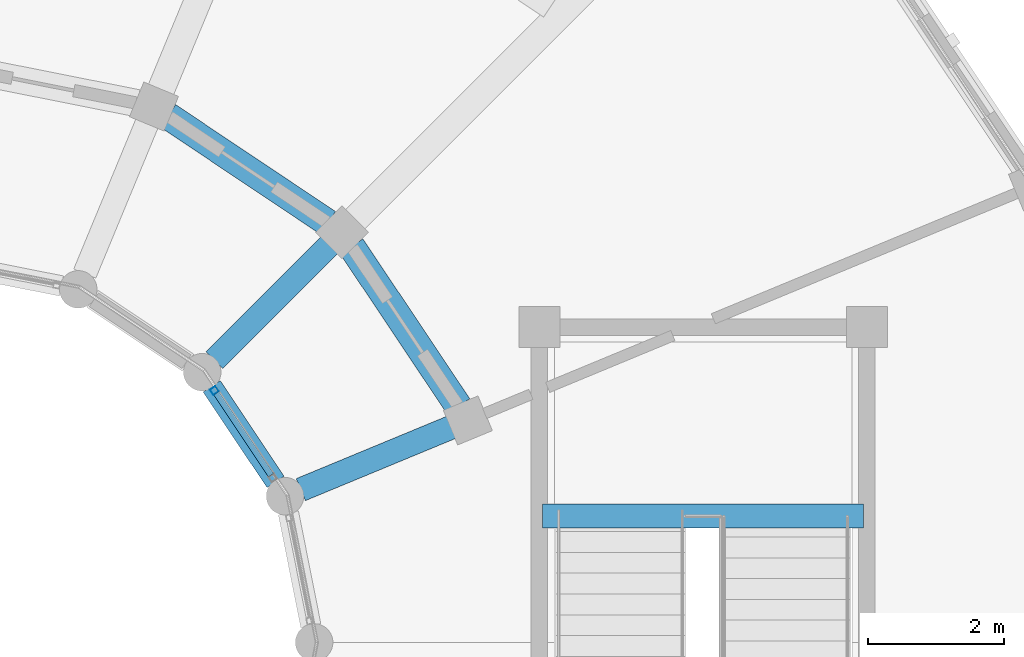
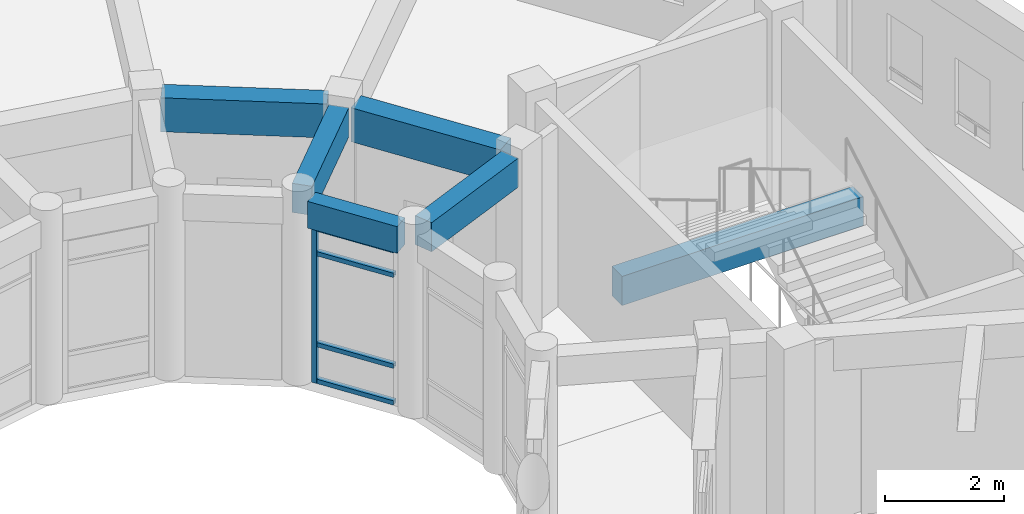
# One storey, part 34 of 112: 6 beams, 5 members, 1 element without a shape of its own.
"""IFC4 building model written with IfcOpenShell, lengths in metres."""

from ifc_helpers import new_model, si_unit, direction, frame, origin, origin_2d, place, context, subcontext, project, spatial, rectangle, hollow_rectangle, extrude, material, material_profile, profile_set, type_object, element, aggregate, save


model = new_model("IFC4")

# Units and contexts
model_context = context("Model", 3, precision=1e-05, world=origin(), true_north=direction((0.0, 1.0)))
body_context = subcontext(model_context, "Body", "Model", "MODEL_VIEW")
ifc_project = project(units=[si_unit("LENGTHUNIT", "METRE"), si_unit("AREAUNIT", "SQUARE_METRE"), si_unit("VOLUMEUNIT", "CUBIC_METRE"), si_unit("PLANEANGLEUNIT", "RADIAN"), si_unit("MASSUNIT", "GRAM", prefix="KILO")], contexts=[model_context])

# Site, building, storey
site_placement = place(None, origin())
site = spatial("IfcSite", under=ifc_project, at=site_placement, CompositionType="ELEMENT")
building_placement = place(site_placement, origin())
building = spatial("IfcBuilding", under=site, at=building_placement, Name="Celadon Cloister-Ring School", CompositionType="ELEMENT")
storey_placement = place(building_placement, frame((0.0, 0.0, 8.5)))
storey = spatial("IfcBuildingStorey", under=building, at=storey_placement, Name="L02", CompositionType="ELEMENT", Elevation=8.5)

# Beams
ifc_material_1 = material(Name="Concrete C35/45", Category="concrete")
ifc_material_profile_1 = material_profile(ifc_material_1, rectangle(XDim=0.35009765625, YDim=0.60009765625, at=origin_2d()), Name="RC350X600")
ifc_profile_set_1 = profile_set([ifc_material_profile_1], Name="Concrete C35/45")
beam_type_1 = type_object("IfcBeamType", Name="BT-02", PredefinedType="BEAM", material=ifc_profile_set_1)
beam_1_placement = place(storey_placement, frame((27.822021484375, 100.156982421875, 3.47998046875), z_axis=(-0.923932522988, -0.382555476978, 0.0), x_axis=(0.382555476978, -0.923932522988, 0.0)))
element("IfcBeam", 1, at=beam_1_placement, inside=storey, type_object=beam_type_1, Name="Beam 0734", PredefinedType="BEAM", context=body_context, shape_type="SweptSolid", body=[
    extrude(rectangle(XDim=0.35009765625, YDim=0.60009765625, at=origin_2d()), origin(), (0.0, 0.0, 1.0), 2.399658203125),
])
beam_2_placement = place(storey_placement, frame((26.032958984375, 102.8330078125, 3.47998046875), z_axis=(-0.707106781187, -0.707106781187, 0.0), x_axis=(0.707106781187, -0.707106781187, 0.0)))
element("IfcBeam", 2, at=beam_2_placement, inside=storey, type_object=beam_type_1, Name="Beam 0736", PredefinedType="BEAM", context=body_context, shape_type="SweptSolid", body=[
    extrude(rectangle(XDim=0.35009765625, YDim=0.60009765625, at=origin_2d()), origin(), (0.0, 0.0, 1.0), 2.398681640625),
])
beam_3_placement = place(storey_placement, frame((29.14990234375, 98.85009765625, 1.39990234375), z_axis=(1.0, 0.0, 0.0), x_axis=(0.0, 1.0, 0.0)))
element("IfcBeam", 3, at=beam_3_placement, inside=storey, type_object=beam_type_1, Name="Stair Landing Beam 1742", PredefinedType="BEAM", context=body_context, shape_type="SweptSolid", body=[
    extrude(rectangle(XDim=0.35009765625, YDim=0.60009765625, at=origin_2d()), origin(), (0.0, 0.0, 1.0), 4.7001953125),
])

# Curtain wall, members
ifc_material_2 = material(Name="Aluminium EN AW-6063 T6", Category="aluminium")
curtain_wall_type = type_object("IfcCurtainWallType", Name="CW-04", PredefinedType="USERDEFINED", material=ifc_material_2)
curtain_wall_placement = place(storey_placement, origin())
curtain_wall = element("IfcCurtainWall", 4, at=curtain_wall_placement, inside=storey, type_object=curtain_wall_type, Name="Curtain Wall 0104", ObjectType="CURTAIN WALL", PredefinedType="USERDEFINED")
ifc_material_3 = material(Name="Aluminium EN AW-6063 T6", Category="aluminium")
ifc_material_profile_2 = material_profile(ifc_material_3, hollow_rectangle(XDim=0.094970703125, YDim=0.094970703125, WallThickness=0.00390625, at=origin_2d()), Name="RHS95X95X4")
ifc_profile_set_2 = profile_set([ifc_material_profile_2], Name="Aluminium EN AW-6063 T6")
member_type_1 = type_object("IfcMemberType", Name="CM-02", PredefinedType="MULLION", material=ifc_profile_set_2)
member_1_placement = place(storey_placement, frame((24.33935546875, 100.69140625, 0.0), z_axis=(0.0, 0.0, 1.0), x_axis=(-0.831485091394, -0.555547066224, 0.0)))
member_1 = element("IfcMember", 5, at=member_1_placement, type_object=member_type_1, Name="CW-04 mullion 2", PredefinedType="MULLION", context=body_context, shape_type="SweptSolid", body=[
    extrude(hollow_rectangle(XDim=0.094970703125, YDim=0.094970703125, WallThickness=0.00390625, at=origin_2d()), origin(), (0.0, 0.0, 1.0), 3.221923828125),
])
ifc_material_4 = material(Name="Aluminium EN AW-6063 T6", Category="aluminium")
ifc_material_profile_3 = material_profile(ifc_material_4, hollow_rectangle(XDim=0.090087890625, YDim=0.090087890625, WallThickness=0.00390625, at=origin_2d()), Name="RHS90X90X4")
ifc_profile_set_3 = profile_set([ifc_material_profile_3], Name="Aluminium EN AW-6063 T6")
member_type_2 = type_object("IfcMemberType", Name="CTM-02", PredefinedType="USERDEFINED", material=ifc_profile_set_3)
member_2_placement = place(storey_placement, frame((25.168212890625, 99.450927734375, 0.044921875), z_axis=(-0.555518951009, 0.831503875559, 0.0), x_axis=(-0.831503875559, -0.555518951009, 0.0)))
member_2 = element("IfcMember", 6, at=member_2_placement, type_object=member_type_2, Name="CW-04 transom 1.1", ObjectType="TRANSOM", PredefinedType="USERDEFINED", context=body_context, shape_type="SweptSolid", body=[
    extrude(hollow_rectangle(XDim=0.090087890625, YDim=0.090087890625, WallThickness=0.00390625, at=origin_2d()), origin(), (0.0, 0.0, 1.0), 1.444580078125),
])
member_3_placement = place(storey_placement, frame((25.168212890625, 99.450927734375, 0.800048828125), z_axis=(-0.555518951009, 0.831503875559, 0.0), x_axis=(-0.831503875559, -0.555518951009, 0.0)))
member_3 = element("IfcMember", 7, at=member_3_placement, type_object=member_type_2, Name="CW-04 transom 1.2", ObjectType="TRANSOM", PredefinedType="USERDEFINED", context=body_context, shape_type="SweptSolid", body=[
    extrude(hollow_rectangle(XDim=0.090087890625, YDim=0.090087890625, WallThickness=0.00390625, at=origin_2d()), origin(), (0.0, 0.0, 1.0), 1.444580078125),
])
member_4_placement = place(storey_placement, frame((25.168212890625, 99.450927734375, 2.672119140625), z_axis=(-0.555518951009, 0.831503875559, 0.0), x_axis=(-0.831503875559, -0.555518951009, 0.0)))
member_4 = element("IfcMember", 8, at=member_4_placement, type_object=member_type_2, Name="CW-04 transom 1.3", ObjectType="TRANSOM", PredefinedType="USERDEFINED", context=body_context, shape_type="SweptSolid", body=[
    extrude(hollow_rectangle(XDim=0.090087890625, YDim=0.090087890625, WallThickness=0.00390625, at=origin_2d()), origin(), (0.0, 0.0, 1.0), 1.444580078125),
])
member_5_placement = place(storey_placement, frame((25.168212890625, 99.450927734375, 3.177001953125), z_axis=(-0.555518951009, 0.831503875559, 0.0), x_axis=(-0.831503875559, -0.555518951009, 0.0)))
member_5 = element("IfcMember", 9, at=member_5_placement, type_object=member_type_2, Name="CW-04 transom 1.4", ObjectType="TRANSOM", PredefinedType="USERDEFINED", context=body_context, shape_type="SweptSolid", body=[
    extrude(hollow_rectangle(XDim=0.090087890625, YDim=0.090087890625, WallThickness=0.00390625, at=origin_2d()), origin(), (0.0, 0.0, 1.0), 1.444580078125),
])
aggregate(curtain_wall, [member_1, member_2, member_3, member_4, member_5])

# Beams
ifc_material_5 = material(Name="Concrete C35/45", Category="concrete")
ifc_material_profile_4 = material_profile(ifc_material_5, rectangle(XDim=0.39990234375, YDim=0.699951171875, at=origin_2d()), Name="RC400X700")
ifc_profile_set_4 = profile_set([ifc_material_profile_4], Name="Concrete C35/45")
beam_type_2 = type_object("IfcBeamType", Name="GT-03", PredefinedType="USERDEFINED", material=ifc_profile_set_4)
beam_4_placement = place(storey_placement, frame((27.9140625, 100.4609375, 3.429931640625), z_axis=(-0.555740149771, 0.831356052442, 0.0), x_axis=(-0.831356052442, -0.555740149771, 0.0)))
element("IfcBeam", 10, at=beam_4_placement, inside=storey, type_object=beam_type_2, Name="Beam 0761", ObjectType="GIRDER", PredefinedType="USERDEFINED", context=body_context, shape_type="SweptSolid", body=[
    extrude(rectangle(XDim=0.39990234375, YDim=0.699951171875, at=origin_2d()), origin(), (0.0, 0.0, 1.0), 2.81591796875),
])
beam_5_placement = place(storey_placement, frame((26.001953125, 103.14892578125, 3.429931640625), z_axis=(-0.831315995752, 0.555800067657, 0.0), x_axis=(-0.555800067657, -0.831315995752, 0.0)))
element("IfcBeam", 11, at=beam_5_placement, inside=storey, type_object=beam_type_2, Name="Beam 0764", ObjectType="GIRDER", PredefinedType="USERDEFINED", context=body_context, shape_type="SweptSolid", body=[
    extrude(rectangle(XDim=0.39990234375, YDim=0.699951171875, at=origin_2d()), origin(), (0.0, 0.0, 1.0), 2.816162109375),
])
ifc_material_6 = material(Name="Concrete C35/45", Category="concrete")
ifc_material_profile_5 = material_profile(ifc_material_6, rectangle(XDim=0.300048828125, YDim=0.550048828125, at=origin_2d()), Name="RC300X550")
ifc_profile_set_5 = profile_set([ifc_material_profile_5], Name="Concrete C35/45")
beam_type_3 = type_object("IfcBeamType", Name="SP-02", PredefinedType="SPANDREL", material=ifc_profile_set_5)
beam_6_placement = place(storey_placement, frame((25.235107421875, 99.35107421875, 3.5048828125), z_axis=(-0.555569328961, 0.831470216374, 0.0), x_axis=(-0.831470216374, -0.555569328961, 0.0)))
element("IfcBeam", 12, at=beam_6_placement, inside=storey, type_object=beam_type_3, Name="Beam 0762", PredefinedType="SPANDREL", context=body_context, shape_type="SweptSolid", body=[
    extrude(rectangle(XDim=0.300048828125, YDim=0.550048828125, at=origin_2d()), origin(), (0.0, 0.0, 1.0), 1.684814453125),
])

save(model, "model.ifc")
